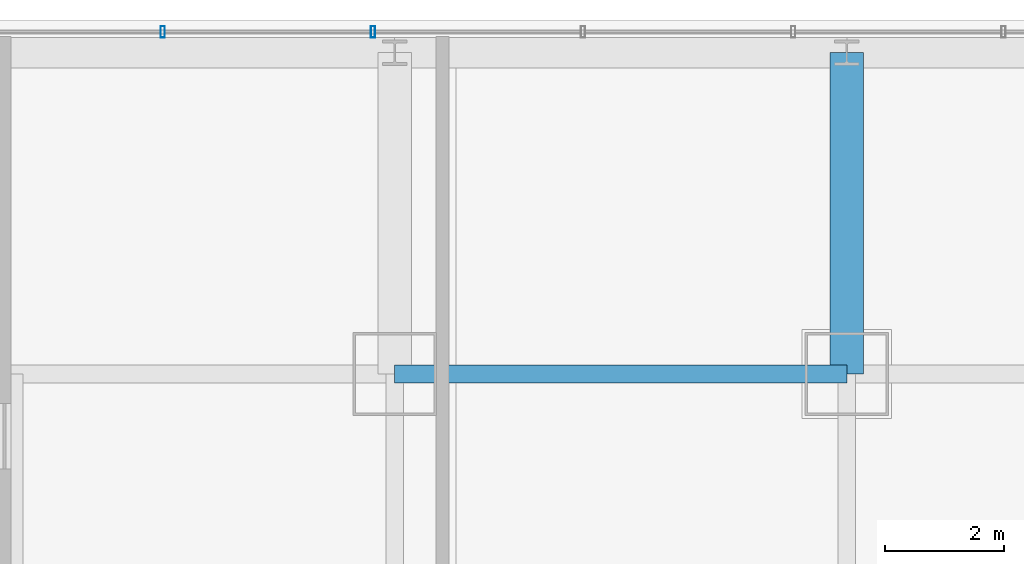
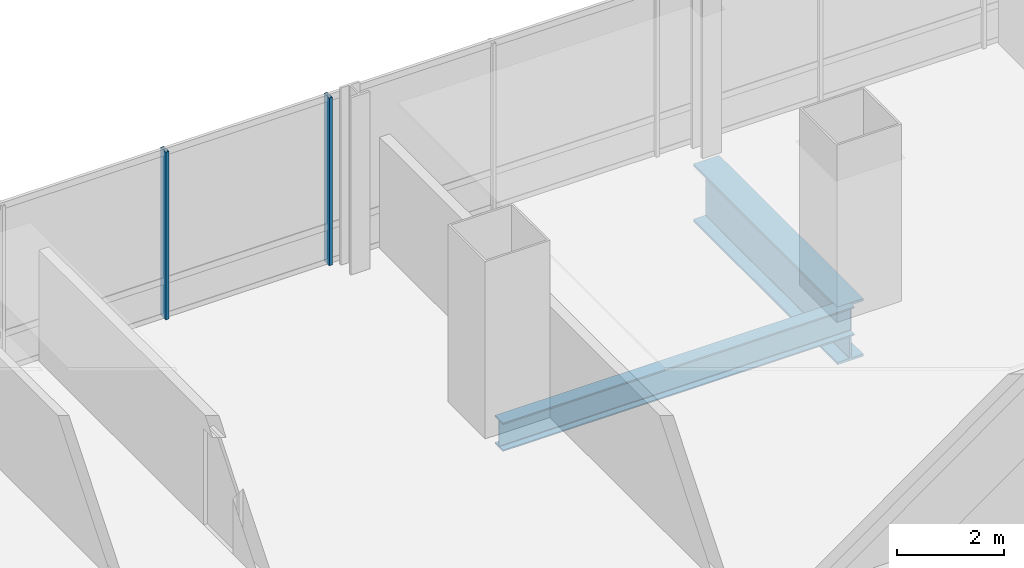
# One storey, part 23 of 37: 2 beams, 2 members, 1 element without a shape of its own.
"""IFC4 building model written with IfcOpenShell, lengths in metres."""

from ifc_helpers import new_model, si_unit, direction, frame, origin, origin_2d, place, context, subcontext, project, spatial, hollow_rectangle, i_section, extrude, material, material_profile, profile_set, type_object, element, aggregate, save


model = new_model("IFC4")

# Units and contexts
model_context = context("Model", 3, precision=1e-05, world=origin(), true_north=direction((0.0, 1.0)))
body_context = subcontext(model_context, "Body", "Model", "MODEL_VIEW")
ifc_project = project(units=[si_unit("LENGTHUNIT", "METRE"), si_unit("AREAUNIT", "SQUARE_METRE"), si_unit("VOLUMEUNIT", "CUBIC_METRE"), si_unit("PLANEANGLEUNIT", "RADIAN"), si_unit("MASSUNIT", "GRAM", prefix="KILO")], contexts=[model_context])

# Site, building, storey
site_placement = place(None, origin())
site = spatial("IfcSite", under=ifc_project, at=site_placement, CompositionType="ELEMENT")
building_placement = place(site_placement, origin())
building = spatial("IfcBuilding", under=site, at=building_placement, Name="Punatoya Terracotta Tower", CompositionType="ELEMENT")
storey_placement = place(building_placement, frame((0.0, 0.0, 164.10009765625)))
storey = spatial("IfcBuildingStorey", under=building, at=storey_placement, Name="L38", CompositionType="ELEMENT", Elevation=164.10009765625)

# Beams
ifc_material_1 = material(Name="Steel S355", Category="steel")
ifc_material_profile_1 = material_profile(ifc_material_1, i_section(OverallWidth=0.300048828125, OverallDepth=0.64990234375, WebThickness=0.01611328125, FlangeThickness=0.031005859375, FilletRadius=0.01806640625, at=origin_2d()))
ifc_profile_set_1 = profile_set([ifc_material_profile_1], Name="Steel S355")
beam_type_1 = type_object("IfcBeamType", Name="BM-PRI-650", PredefinedType="BEAM", material=ifc_profile_set_1)
beam_1_placement = place(storey_placement, frame((-3.800048828125, 17.5, -0.545166015625), z_axis=(1.0, 0.0, 0.0), x_axis=(0.0, 1.0, 0.0)))
element("IfcBeam", 1, at=beam_1_placement, inside=storey, type_object=beam_type_1, Name="BM-L38-RG-N2", PredefinedType="BEAM", context=body_context, shape_type="SweptSolid", body=[
    extrude(i_section(OverallWidth=0.300048828125, OverallDepth=0.64990234375, WebThickness=0.01611328125, FlangeThickness=0.031005859375, FilletRadius=0.01806640625, at=origin_2d()), origin(), (0.0, 0.0, 1.0), 7.60009765625),
])
ifc_material_2 = material(Name="Steel S460", Category="steel")
ifc_material_profile_2 = material_profile(ifc_material_2, i_section(OverallWidth=0.56005859375, OverallDepth=1.320068359375, WebThickness=0.035888671875, FlangeThickness=0.054931640625, FilletRadius=0.01806640625, at=origin_2d()))
ifc_profile_set_2 = profile_set([ifc_material_profile_2], Name="Steel S460")
beam_type_2 = type_object("IfcBeamType", Name="BM-TG-BLK", PredefinedType="BEAM", material=ifc_profile_set_2)
beam_2_placement = place(storey_placement, frame((3.800048828125, 17.5, -0.880126953125), z_axis=(0.0, 1.0, 0.0), x_axis=(-1.0, 0.0, 0.0)))
element("IfcBeam", 2, at=beam_2_placement, inside=storey, type_object=beam_type_2, Name="BM-L38-CANT-N3", PredefinedType="BEAM", context=body_context, shape_type="SweptSolid", body=[
    extrude(i_section(OverallWidth=0.56005859375, OverallDepth=1.320068359375, WebThickness=0.035888671875, FlangeThickness=0.054931640625, FilletRadius=0.01806640625, at=origin_2d()), origin(), (0.0, 0.0, 1.0), 5.39990234375),
])

# Curtain wall, members
ifc_material_3 = material(Name="Aluminium 6063-T6 + Double Low-E Glass", Category="aluminium")
curtain_wall_type = type_object("IfcCurtainWallType", Name="CW-M2", PredefinedType="NOTDEFINED", material=ifc_material_3)
curtain_wall_placement = place(storey_placement, origin())
curtain_wall = element("IfcCurtainWall", 3, at=curtain_wall_placement, inside=storey, type_object=curtain_wall_type, Name="L38 Curtain Wall CW-L38-N09-1", PredefinedType="NOTDEFINED")
ifc_material_4 = material(Name="Aluminium 6063-T6", Category="aluminium")
ifc_material_profile_3 = material_profile(ifc_material_4, hollow_rectangle(XDim=0.072021484375, YDim=0.195068359375, WallThickness=0.00439453125, at=origin_2d()))
ifc_profile_set_3 = profile_set([ifc_material_profile_3], Name="Aluminium 6063-T6")
member_type = type_object("IfcMemberType", Name="CW-MUL-M2", PredefinedType="MULLION", material=ifc_profile_set_3)
member_1_placement = place(storey_placement, frame((-4.1669921875, 23.25, 0.0), z_axis=(0.0, 0.0, 1.0), x_axis=(1.0, 0.0, 0.0)))
member_1 = element("IfcMember", 4, at=member_1_placement, type_object=member_type, Name="CW-L38-N09-1 Mullion 06", PredefinedType="MULLION", context=body_context, shape_type="SweptSolid", body=[
    extrude(hollow_rectangle(XDim=0.072021484375, YDim=0.195068359375, WallThickness=0.00439453125, at=origin_2d()), origin(), (0.0, 0.0, 1.0), 3.829833984375),
])
member_2_placement = place(storey_placement, frame((-7.700927734375, 23.25, 0.0), z_axis=(0.0, 0.0, 1.0), x_axis=(1.0, 0.0, 0.0)))
member_2 = element("IfcMember", 5, at=member_2_placement, type_object=member_type, Name="CW-L38-N09-1 Mullion 07", PredefinedType="MULLION", context=body_context, shape_type="SweptSolid", body=[
    extrude(hollow_rectangle(XDim=0.072021484375, YDim=0.195068359375, WallThickness=0.00439453125, at=origin_2d()), origin(), (0.0, 0.0, 1.0), 3.829833984375),
])
aggregate(curtain_wall, [member_1, member_2])

save(model, "model.ifc")
